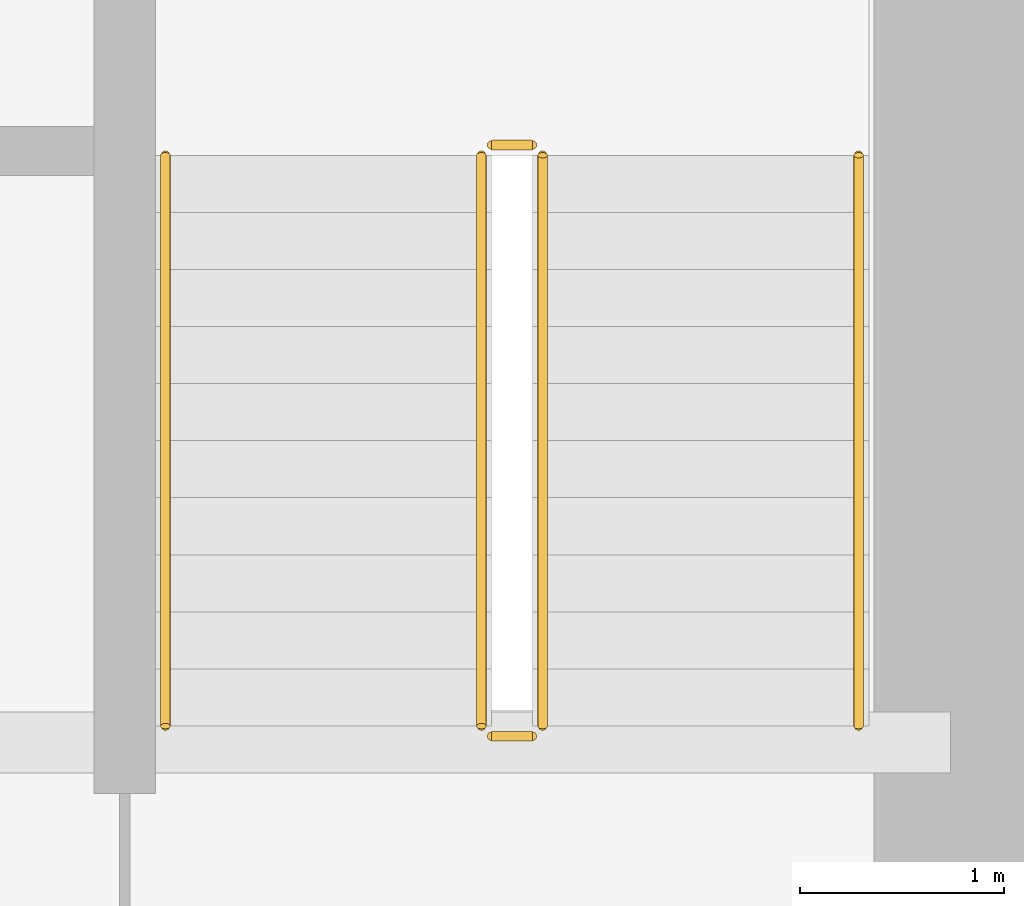
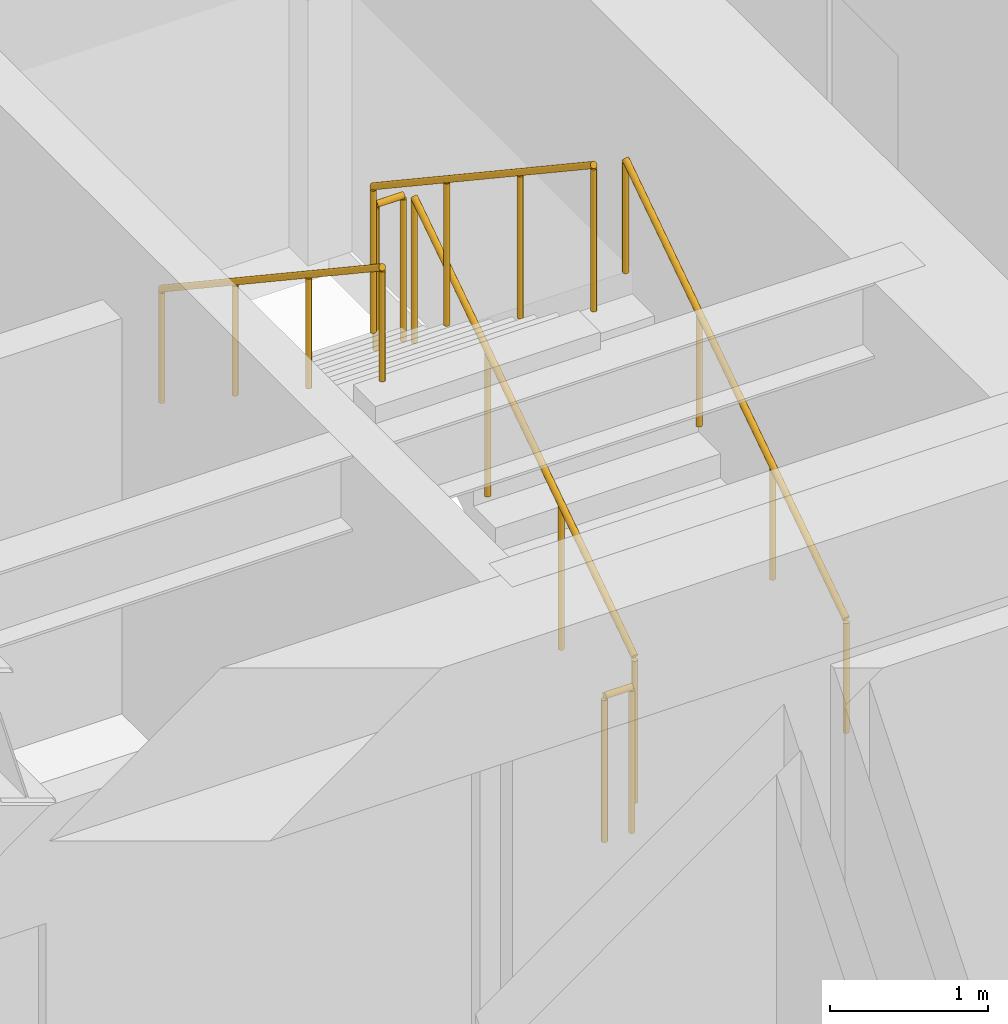
# One storey, part 35 of 35: 6 railings.
"""IFC4 building model written with IfcOpenShell, lengths in metres."""

from ifc_helpers import new_model, si_unit, direction, frame, origin, origin_2d, place, context, subcontext, project, spatial, circle, extrude, source, transform, mapped, material, type_object, type_shapes, element, save


model = new_model("IFC4")

# Units and contexts
model_context = context("Model", 3, precision=1e-05, world=origin(), true_north=direction((0.0, 1.0)))
body_context = subcontext(model_context, "Body", "Model", "MODEL_VIEW")
ifc_project = project(units=[si_unit("LENGTHUNIT", "METRE"), si_unit("AREAUNIT", "SQUARE_METRE"), si_unit("VOLUMEUNIT", "CUBIC_METRE"), si_unit("PLANEANGLEUNIT", "RADIAN"), si_unit("MASSUNIT", "GRAM", prefix="KILO")], contexts=[model_context])

# Site, building, storey
site_placement = place(None, origin())
site = spatial("IfcSite", under=ifc_project, at=site_placement, CompositionType="ELEMENT")
building_placement = place(site_placement, origin())
building = spatial("IfcBuilding", under=site, at=building_placement, Name="Haelvirn Gate Laboratories", CompositionType="ELEMENT")
storey_placement = place(building_placement, frame((0.0, 0.0, 41.60009765625)))
storey = spatial("IfcBuildingStorey", under=building, at=storey_placement, Name="L10", CompositionType="ELEMENT", Elevation=41.60009765625)

# Railings
ifc_material_1 = material(Name="Galvanised steel SM355 & stainless top rail", Category="steel")
railing_type_1 = type_object("IfcRailingType", Name="RL-GUARD-1150", PredefinedType="GUARDRAIL", material=ifc_material_1)
shared_shape_1 = source(origin(), body_context, "Body", "SweptSolid", [
    extrude(circle(Radius=0.02392578125, at=origin_2d()), frame((0.0, 0.0, 1.1259765625), z_axis=(0.0, 0.832485552168, 0.554046753832), x_axis=(-1.0, 0.0, 0.0)), (0.0, 0.0, 1.0), 3.363525390625),
    extrude(circle(Radius=0.02099609375, at=origin_2d()), origin(), (0.0, 0.0, 1.0), 1.101806640625),
    extrude(circle(Radius=0.02099609375, at=origin_2d()), frame((0.0, 0.933349609375, 0.62109375)), (0.0, 0.0, 1.0), 1.101806640625),
    extrude(circle(Radius=0.02099609375, at=origin_2d()), frame((0.0, 1.86669921875, 1.242431640625)), (0.0, 0.0, 1.0), 1.101806640625),
    extrude(circle(Radius=0.02099609375, at=origin_2d()), frame((0.0, 2.800048828125, 1.863525390625)), (0.0, 0.0, 1.0), 1.101806640625),
])
railing_1_placement = place(storey_placement, frame((65.39990234375, 26.699951171875, 0.186279296875)))
element("IfcRailing", 1, at=railing_1_placement, inside=storey, type_object=railing_type_1, Name="L10 ST2 stair guard 1", PredefinedType="GUARDRAIL", context=body_context, shape_type="MappedRepresentation", body=[
    mapped(shared_shape_1, transform((0.0, 0.0, 0.0), scale=1.0)),
])
ifc_material_2 = material(Name="Brushed stainless steel 316L", Category="steel")
railing_type_2 = type_object("IfcRailingType", Name="RL-HAND-920", PredefinedType="HANDRAIL", material=ifc_material_2)
shared_shape_2 = source(origin(), body_context, "Body", "SweptSolid", [
    extrude(circle(Radius=0.02392578125, at=origin_2d()), frame((0.0, 0.0, 0.8759765625), z_axis=(0.0, 0.832485552168, 0.554046753832), x_axis=(-1.0, 0.0, 0.0)), (0.0, 0.0, 1.0), 3.363525390625),
    extrude(circle(Radius=0.02099609375, at=origin_2d()), origin(), (0.0, 0.0, 1.0), 0.851806640625),
    extrude(circle(Radius=0.02099609375, at=origin_2d()), frame((0.0, 0.933349609375, 0.62109375)), (0.0, 0.0, 1.0), 0.851806640625),
    extrude(circle(Radius=0.02099609375, at=origin_2d()), frame((0.0, 1.86669921875, 1.242431640625)), (0.0, 0.0, 1.0), 0.851806640625),
    extrude(circle(Radius=0.02099609375, at=origin_2d()), frame((0.0, 2.800048828125, 1.863525390625)), (0.0, 0.0, 1.0), 0.851806640625),
])
railing_2_placement = place(storey_placement, frame((66.949951171875, 26.699951171875, 0.186279296875)))
element("IfcRailing", 2, at=railing_2_placement, inside=storey, type_object=railing_type_2, Name="L10 ST2 stair handrail 1", PredefinedType="HANDRAIL", context=body_context, shape_type="MappedRepresentation", body=[
    mapped(shared_shape_2, transform((0.0, 0.0, 0.0), scale=1.0)),
])
shared_shape_3 = source(origin(), body_context, "Body", "SweptSolid", [
    extrude(circle(Radius=0.02392578125, at=origin_2d()), frame((0.0, 0.0, 1.1259765625), z_axis=(0.0, -0.832485552168, 0.554046753832), x_axis=(1.0, 0.0, 0.0)), (0.0, 0.0, 1.0), 3.363525390625),
    extrude(circle(Radius=0.02099609375, at=origin_2d()), origin(), (0.0, 0.0, 1.0), 1.101806640625),
    extrude(circle(Radius=0.02099609375, at=origin_2d()), frame((0.0, -0.933349609375, 0.62109375)), (0.0, 0.0, 1.0), 1.101806640625),
    extrude(circle(Radius=0.02099609375, at=origin_2d()), frame((0.0, -1.86669921875, 1.242431640625)), (0.0, 0.0, 1.0), 1.101806640625),
    extrude(circle(Radius=0.02099609375, at=origin_2d()), frame((0.0, -2.800048828125, 1.863525390625)), (0.0, 0.0, 1.0), 1.101806640625),
])
railing_3_placement = place(storey_placement, frame((65.10009765625, 29.5, 2.236328125)))
element("IfcRailing", 3, at=railing_3_placement, inside=storey, type_object=railing_type_1, Name="L10 ST2 stair guard 3", PredefinedType="GUARDRAIL", context=body_context, shape_type="MappedRepresentation", body=[
    mapped(shared_shape_3, transform((0.0, 0.0, 0.0), scale=1.0)),
])
shared_shape_4 = source(origin(), body_context, "Body", "SweptSolid", [
    extrude(circle(Radius=0.02392578125, at=origin_2d()), frame((0.0, 0.0, 0.8759765625), z_axis=(0.0, -0.832485552168, 0.554046753832), x_axis=(1.0, 0.0, 0.0)), (0.0, 0.0, 1.0), 3.363525390625),
    extrude(circle(Radius=0.02099609375, at=origin_2d()), origin(), (0.0, 0.0, 1.0), 0.851806640625),
    extrude(circle(Radius=0.02099609375, at=origin_2d()), frame((0.0, -0.933349609375, 0.62109375)), (0.0, 0.0, 1.0), 0.851806640625),
    extrude(circle(Radius=0.02099609375, at=origin_2d()), frame((0.0, -1.86669921875, 1.242431640625)), (0.0, 0.0, 1.0), 0.851806640625),
    extrude(circle(Radius=0.02099609375, at=origin_2d()), frame((0.0, -2.800048828125, 1.863525390625)), (0.0, 0.0, 1.0), 0.851806640625),
])
type_shapes(railing_type_2, [shared_shape_2, shared_shape_4])
railing_4_placement = place(storey_placement, frame((63.550048828125, 29.5, 2.236328125)))
element("IfcRailing", 4, at=railing_4_placement, inside=storey, type_object=railing_type_2, Name="L10 ST2 stair handrail 2", PredefinedType="HANDRAIL", context=body_context, shape_type="MappedRepresentation", body=[
    mapped(shared_shape_4, transform((0.0, 0.0, 0.0), scale=1.0)),
])
shared_shape_5 = source(origin(), body_context, "Body", "SweptSolid", [
    extrude(circle(Radius=0.02392578125, at=origin_2d()), frame((0.0, 0.0, 1.1259765625), z_axis=(-1.0, 0.0, 0.0), x_axis=(0.0, -1.0, 0.0)), (0.0, 0.0, 1.0), 0.2001953125),
    extrude(circle(Radius=0.02099609375, at=origin_2d()), origin(), (0.0, 0.0, 1.0), 1.101806640625),
    extrude(circle(Radius=0.02099609375, at=origin_2d()), frame((-0.2001953125, 0.0, 0.0)), (0.0, 0.0, 1.0), 1.101806640625),
])
type_shapes(railing_type_1, [shared_shape_1, shared_shape_3, shared_shape_5])
for number, where, name in (
    (5, (65.35009765625, 29.550048828125, 2.0498046875), "L10 ST2 stair guard 2"),
    (6, (65.35009765625, 26.64990234375, 0.0), "L10 ST2 stair guard 4"),
):
    element("IfcRailing", number, at=place(storey_placement, frame(where)), inside=storey, type_object=railing_type_1, Name=name, PredefinedType="GUARDRAIL", context=body_context, shape_type="MappedRepresentation", body=[
        mapped(shared_shape_5, transform((0.0, 0.0, 0.0), scale=1.0)),
    ])

save(model, "model.ifc")
